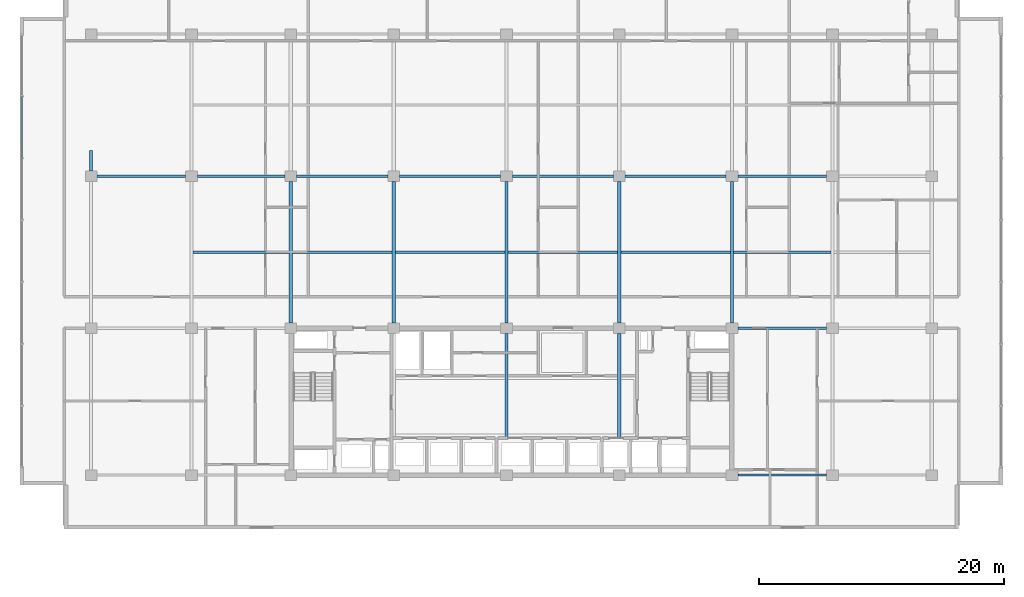
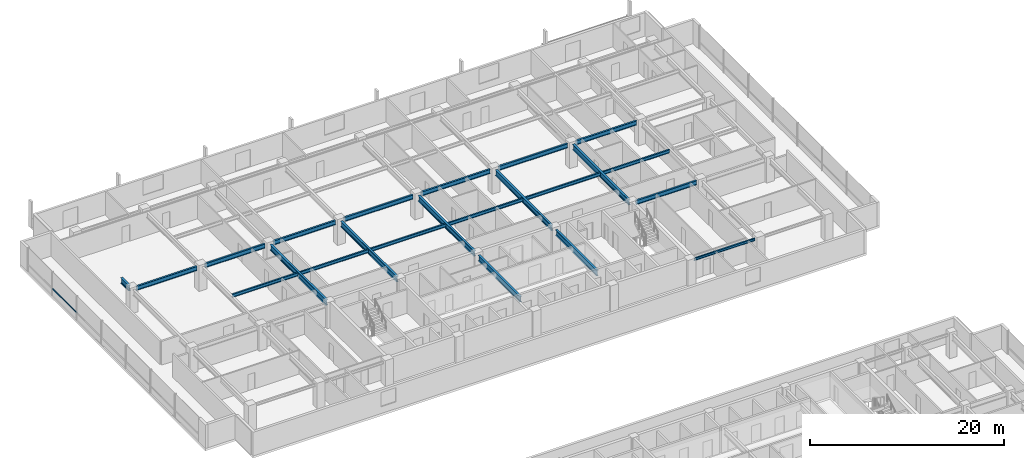
# One storey, part 13 of 38: 23 beams, 1 member, 1 element without a shape of its own.
"""IFC4 building model written with IfcOpenShell, lengths in metres."""

from ifc_helpers import new_model, si_unit, direction, frame, origin, origin_2d, place, context, subcontext, project, spatial, hollow_rectangle, i_section, extrude, material, layer, layer_set, material_profile, profile_set, type_object, element, aggregate, save


model = new_model("IFC4")

# Units and contexts
model_context = context("Model", 3, precision=1e-05, world=origin(), true_north=direction((0.0, 1.0)))
body_context = subcontext(model_context, "Body", "Model", "MODEL_VIEW")
ifc_project = project(units=[si_unit("LENGTHUNIT", "METRE"), si_unit("AREAUNIT", "SQUARE_METRE"), si_unit("VOLUMEUNIT", "CUBIC_METRE"), si_unit("PLANEANGLEUNIT", "RADIAN"), si_unit("MASSUNIT", "GRAM", prefix="KILO")], contexts=[model_context])

# Site, building, storey
site_placement = place(None, origin())
site = spatial("IfcSite", under=ifc_project, at=site_placement, CompositionType="ELEMENT")
building_placement = place(site_placement, origin())
building = spatial("IfcBuilding", under=site, at=building_placement, Name="Korimba Cascade Residences", CompositionType="ELEMENT")
storey_placement = place(building_placement, frame((0.0, 0.0, 93.800048828125)))
storey = spatial("IfcBuildingStorey", under=building, at=storey_placement, Name="L26", CompositionType="ELEMENT", Elevation=93.800048828125)

# Beams
ifc_material_1 = material(Name="Steel S355", Category="steel")
ifc_material_profile_1 = material_profile(ifc_material_1, i_section(OverallWidth=0.165771484375, OverallDepth=0.306640625, WebThickness=0.006591796875, FlangeThickness=0.01171875, FilletRadius=0.0087890625, at=origin_2d()), Name="Steel S355")
ifc_profile_set_1 = profile_set([ifc_material_profile_1], Name="Steel S355")
beam_type_1 = type_object("IfcBeamType", Name="BM-STL-UB305", PredefinedType="SPANDREL", material=ifc_profile_set_1)
beam_1_placement = place(storey_placement, frame((112.574951171875, 55.199951171875, 2.816650390625), z_axis=(1.0, 0.0, 0.0), x_axis=(0.0, 1.0, 0.0)))
element("IfcBeam", 1, at=beam_1_placement, inside=storey, type_object=beam_type_1, Name="L26 T1 E-W Girder Y1 Bay 7", PredefinedType="SPANDREL", context=body_context, shape_type="SweptSolid", body=[
    extrude(i_section(OverallWidth=0.165771484375, OverallDepth=0.306640625, WebThickness=0.006591796875, FlangeThickness=0.01171875, FilletRadius=0.0087890625, at=origin_2d()), origin(), (0.0, 0.0, 1.0), 7.25),
])
ifc_material_profile_2 = material_profile(ifc_material_1, i_section(OverallWidth=0.1787109375, OverallDepth=0.409423828125, WebThickness=0.0087890625, FlangeThickness=0.014404296875, FilletRadius=0.01025390625, at=origin_2d()), Name="Steel S355")
ifc_profile_set_2 = profile_set([ifc_material_profile_2], Name="Steel S355")
beam_type_2 = type_object("IfcBeamType", Name="BM-STL-UB406", PredefinedType="JOIST", material=ifc_profile_set_2)
beam_2_placement = place(storey_placement, frame((68.1279296875, 73.39990234375, 2.76513671875), z_axis=(1.0, 0.0, 0.0), x_axis=(0.0, 1.0, 0.0)))
element("IfcBeam", 2, at=beam_2_placement, inside=storey, type_object=beam_type_2, Name="L26 T1 Floor Joist 1.2", PredefinedType="JOIST", context=body_context, shape_type="SweptSolid", body=[
    extrude(i_section(OverallWidth=0.1787109375, OverallDepth=0.409423828125, WebThickness=0.0087890625, FlangeThickness=0.014404296875, FilletRadius=0.01025390625, at=origin_2d()), origin(), (0.0, 0.0, 1.0), 7.84423828125),
])
beam_3_placement = place(storey_placement, frame((76.227783203125, 73.39990234375, 2.76513671875), z_axis=(1.0, 0.0, 0.0), x_axis=(0.0, 1.0, 0.0)))
element("IfcBeam", 3, at=beam_3_placement, inside=storey, type_object=beam_type_2, Name="L26 T1 Floor Joist 1.3", PredefinedType="JOIST", context=body_context, shape_type="SweptSolid", body=[
    extrude(i_section(OverallWidth=0.1787109375, OverallDepth=0.409423828125, WebThickness=0.0087890625, FlangeThickness=0.014404296875, FilletRadius=0.01025390625, at=origin_2d()), origin(), (0.0, 0.0, 1.0), 8.144287109375),
])
beam_4_placement = place(storey_placement, frame((84.6279296875, 73.39990234375, 2.76513671875), z_axis=(1.0, 0.0, 0.0), x_axis=(0.0, 1.0, 0.0)))
element("IfcBeam", 4, at=beam_4_placement, inside=storey, type_object=beam_type_2, Name="L26 T1 Floor Joist 1.4", PredefinedType="JOIST", context=body_context, shape_type="SweptSolid", body=[
    extrude(i_section(OverallWidth=0.1787109375, OverallDepth=0.409423828125, WebThickness=0.0087890625, FlangeThickness=0.014404296875, FilletRadius=0.01025390625, at=origin_2d()), origin(), (0.0, 0.0, 1.0), 8.944091796875),
])
for number, where, z_axis, x_axis, name in (
    (5, (93.827880859375, 73.39990234375, 2.76513671875), (1.0, 0.0, 0.0), (0.0, 1.0, 0.0), "L26 T1 Floor Joist 1.5"),
    (6, (103.02783203125, 73.39990234375, 2.76513671875), (1.0, 0.0, 0.0), (0.0, 1.0, 0.0), "L26 T1 Floor Joist 1.6"),
):
    element("IfcBeam", number, at=place(storey_placement, frame(where, z_axis=z_axis, x_axis=x_axis)), inside=storey, type_object=beam_type_2, Name=name, PredefinedType="JOIST", context=body_context, shape_type="SweptSolid", body=[
        extrude(i_section(OverallWidth=0.1787109375, OverallDepth=0.409423828125, WebThickness=0.0087890625, FlangeThickness=0.014404296875, FilletRadius=0.01025390625, at=origin_2d()), origin(), (0.0, 0.0, 1.0), 8.9443359375),
    ])
beam_5_placement = place(storey_placement, frame((112.227783203125, 73.39990234375, 2.76513671875), z_axis=(1.0, 0.0, 0.0), x_axis=(0.0, 1.0, 0.0)))
element("IfcBeam", 7, at=beam_5_placement, inside=storey, type_object=beam_type_2, Name="L26 T1 Floor Joist 1.7", PredefinedType="JOIST", context=body_context, shape_type="SweptSolid", body=[
    extrude(i_section(OverallWidth=0.1787109375, OverallDepth=0.409423828125, WebThickness=0.0087890625, FlangeThickness=0.014404296875, FilletRadius=0.01025390625, at=origin_2d()), origin(), (0.0, 0.0, 1.0), 7.9443359375),
])
ifc_material_profile_3 = material_profile(ifc_material_1, i_section(OverallWidth=0.2099609375, OverallDepth=0.53662109375, WebThickness=0.0107421875, FlangeThickness=0.017333984375, FilletRadius=0.0126953125, at=origin_2d()), Name="Steel S355")
ifc_profile_set_3 = profile_set([ifc_material_profile_3], Name="Steel S355")
beam_type_3 = type_object("IfcBeamType", Name="BM-STL-UB533", PredefinedType="BEAM", material=ifc_profile_set_3)
for number, where, z_axis, x_axis, name in (
    (8, (112.574951171875, 67.199951171875, 2.70166015625), (1.0, 0.0, 0.0), (0.0, 1.0, 0.0), "L26 T1 E-W Girder Y2 Bay 7"),
    (9, (60.27490234375, 79.60009765625, 2.70166015625), (1.0, 0.0, 0.0), (0.0, 1.0, 0.0), "L26 T1 E-W Girder Y3 Bay 1"),
):
    element("IfcBeam", number, at=place(storey_placement, frame(where, z_axis=z_axis, x_axis=x_axis)), inside=storey, type_object=beam_type_3, Name=name, PredefinedType="BEAM", context=body_context, shape_type="SweptSolid", body=[
        extrude(i_section(OverallWidth=0.2099609375, OverallDepth=0.53662109375, WebThickness=0.0107421875, FlangeThickness=0.017333984375, FilletRadius=0.0126953125, at=origin_2d()), origin(), (0.0, 0.0, 1.0), 7.25),
    ])
beam_6_placement = place(storey_placement, frame((68.47509765625, 79.60009765625, 2.70166015625), z_axis=(1.0, 0.0, 0.0), x_axis=(0.0, 1.0, 0.0)))
element("IfcBeam", 10, at=beam_6_placement, inside=storey, type_object=beam_type_3, Name="L26 T1 E-W Girder Y3 Bay 2", PredefinedType="BEAM", context=body_context, shape_type="SweptSolid", body=[
    extrude(i_section(OverallWidth=0.2099609375, OverallDepth=0.53662109375, WebThickness=0.0107421875, FlangeThickness=0.017333984375, FilletRadius=0.0126953125, at=origin_2d()), origin(), (0.0, 0.0, 1.0), 7.14990234375),
])
beam_7_placement = place(storey_placement, frame((76.574951171875, 79.60009765625, 2.70166015625), z_axis=(1.0, 0.0, 0.0), x_axis=(0.0, 1.0, 0.0)))
element("IfcBeam", 11, at=beam_7_placement, inside=storey, type_object=beam_type_3, Name="L26 T1 E-W Girder Y3 Bay 3", PredefinedType="BEAM", context=body_context, shape_type="SweptSolid", body=[
    extrude(i_section(OverallWidth=0.2099609375, OverallDepth=0.53662109375, WebThickness=0.0107421875, FlangeThickness=0.017333984375, FilletRadius=0.0126953125, at=origin_2d()), origin(), (0.0, 0.0, 1.0), 7.449951171875),
])
for number, where, z_axis, x_axis, name in (
    (12, (84.97509765625, 79.60009765625, 2.70166015625), (1.0, 0.0, 0.0), (0.0, 1.0, 0.0), "L26 T1 E-W Girder Y3 Bay 4"),
    (13, (94.175048828125, 79.60009765625, 2.70166015625), (1.0, 0.0, 0.0), (0.0, 1.0, 0.0), "L26 T1 E-W Girder Y3 Bay 5"),
    (14, (103.375, 79.60009765625, 2.70166015625), (1.0, 0.0, 0.0), (0.0, 1.0, 0.0), "L26 T1 E-W Girder Y3 Bay 6"),
):
    element("IfcBeam", number, at=place(storey_placement, frame(where, z_axis=z_axis, x_axis=x_axis)), inside=storey, type_object=beam_type_3, Name=name, PredefinedType="BEAM", context=body_context, shape_type="SweptSolid", body=[
        extrude(i_section(OverallWidth=0.2099609375, OverallDepth=0.53662109375, WebThickness=0.0107421875, FlangeThickness=0.017333984375, FilletRadius=0.0126953125, at=origin_2d()), origin(), (0.0, 0.0, 1.0), 8.25),
    ])
beam_8_placement = place(storey_placement, frame((112.574951171875, 79.60009765625, 2.70166015625), z_axis=(1.0, 0.0, 0.0), x_axis=(0.0, 1.0, 0.0)))
element("IfcBeam", 15, at=beam_8_placement, inside=storey, type_object=beam_type_3, Name="L26 T1 E-W Girder Y3 Bay 7", PredefinedType="BEAM", context=body_context, shape_type="SweptSolid", body=[
    extrude(i_section(OverallWidth=0.2099609375, OverallDepth=0.53662109375, WebThickness=0.0107421875, FlangeThickness=0.017333984375, FilletRadius=0.0126953125, at=origin_2d()), origin(), (0.0, 0.0, 1.0), 7.25),
])
ifc_material_profile_4 = material_profile(ifc_material_1, i_section(OverallWidth=0.255859375, OverallDepth=0.69287109375, WebThickness=0.014404296875, FlangeThickness=0.023681640625, FilletRadius=0.01513671875, at=origin_2d()), Name="Steel S355")
ifc_profile_set_4 = profile_set([ifc_material_profile_4], Name="Steel S355")
beam_type_4 = type_object("IfcBeamType", Name="BM-STL-UB686", PredefinedType="BEAM", material=ifc_profile_set_4)
beam_9_placement = place(storey_placement, frame((59.800048828125, 80.02490234375, 2.62353515625), z_axis=(0.0, 1.0, 0.0), x_axis=(-1.0, 0.0, 0.0)))
element("IfcBeam", 16, at=beam_9_placement, inside=storey, type_object=beam_type_4, Name="L26 T1 N-S Girder X1 Seg 3", PredefinedType="BEAM", context=body_context, shape_type="SweptSolid", body=[
    extrude(i_section(OverallWidth=0.255859375, OverallDepth=0.69287109375, WebThickness=0.014404296875, FlangeThickness=0.023681640625, FilletRadius=0.01513671875, at=origin_2d()), origin(), (0.0, 0.0, 1.0), 1.675048828125),
])
for number, where, z_axis, x_axis, name in (
    (17, (76.10009765625, 67.625, 2.62353515625), (0.0, 1.0, 0.0), (-1.0, 0.0, 0.0), "L26 T1 N-S Girder X3 Seg 2"),
    (18, (84.5, 67.625, 2.62353515625), (0.0, 1.0, 0.0), (-1.0, 0.0, 0.0), "L26 T1 N-S Girder X4 Seg 2"),
):
    element("IfcBeam", number, at=place(storey_placement, frame(where, z_axis=z_axis, x_axis=x_axis)), inside=storey, type_object=beam_type_4, Name=name, PredefinedType="BEAM", context=body_context, shape_type="SweptSolid", body=[
        extrude(i_section(OverallWidth=0.255859375, OverallDepth=0.69287109375, WebThickness=0.014404296875, FlangeThickness=0.023681640625, FilletRadius=0.01513671875, at=origin_2d()), origin(), (0.0, 0.0, 1.0), 11.550048828125),
    ])
beam_10_placement = place(storey_placement, frame((93.699951171875, 58.159912109375, 2.62353515625), z_axis=(0.0, 1.0, 0.0), x_axis=(-1.0, 0.0, 0.0)))
element("IfcBeam", 19, at=beam_10_placement, inside=storey, type_object=beam_type_4, Name="L26 T1 N-S Girder X5 Seg 1", PredefinedType="BEAM", context=body_context, shape_type="SweptSolid", body=[
    extrude(i_section(OverallWidth=0.255859375, OverallDepth=0.69287109375, WebThickness=0.014404296875, FlangeThickness=0.023681640625, FilletRadius=0.01513671875, at=origin_2d()), origin(), (0.0, 0.0, 1.0), 8.614990234375),
])
beam_11_placement = place(storey_placement, frame((93.699951171875, 67.625, 2.62353515625), z_axis=(0.0, 1.0, 0.0), x_axis=(-1.0, 0.0, 0.0)))
element("IfcBeam", 20, at=beam_11_placement, inside=storey, type_object=beam_type_4, Name="L26 T1 N-S Girder X5 Seg 2", PredefinedType="BEAM", context=body_context, shape_type="SweptSolid", body=[
    extrude(i_section(OverallWidth=0.255859375, OverallDepth=0.69287109375, WebThickness=0.014404296875, FlangeThickness=0.023681640625, FilletRadius=0.01513671875, at=origin_2d()), origin(), (0.0, 0.0, 1.0), 11.550048828125),
])
beam_12_placement = place(storey_placement, frame((102.89990234375, 58.260009765625, 2.62353515625), z_axis=(0.0, 1.0, 0.0), x_axis=(-1.0, 0.0, 0.0)))
element("IfcBeam", 21, at=beam_12_placement, inside=storey, type_object=beam_type_4, Name="L26 T1 N-S Girder X6 Seg 1", PredefinedType="BEAM", context=body_context, shape_type="SweptSolid", body=[
    extrude(i_section(OverallWidth=0.255859375, OverallDepth=0.69287109375, WebThickness=0.014404296875, FlangeThickness=0.023681640625, FilletRadius=0.01513671875, at=origin_2d()), origin(), (0.0, 0.0, 1.0), 8.514892578125),
])
for number, where, z_axis, x_axis, name in (
    (22, (102.89990234375, 67.625, 2.62353515625), (0.0, 1.0, 0.0), (-1.0, 0.0, 0.0), "L26 T1 N-S Girder X6 Seg 2"),
    (23, (112.10009765625, 67.625, 2.62353515625), (0.0, 1.0, 0.0), (-1.0, 0.0, 0.0), "L26 T1 N-S Girder X7 Seg 2"),
):
    element("IfcBeam", number, at=place(storey_placement, frame(where, z_axis=z_axis, x_axis=x_axis)), inside=storey, type_object=beam_type_4, Name=name, PredefinedType="BEAM", context=body_context, shape_type="SweptSolid", body=[
        extrude(i_section(OverallWidth=0.255859375, OverallDepth=0.69287109375, WebThickness=0.014404296875, FlangeThickness=0.023681640625, FilletRadius=0.01513671875, at=origin_2d()), origin(), (0.0, 0.0, 1.0), 11.550048828125),
    ])

# Curtain wall, member
ifc_material_2 = material(Name="Anodised Aluminium Curtain Wall Framing", Category="aluminium")
ifc_layer = layer(ifc_material_2, 0.179931640625)
ifc_layer_set = layer_set([ifc_layer], Name="Anodised Aluminium Curtain Wall Framing")
curtain_wall_type = type_object("IfcCurtainWallType", Name="CW-SKY-SYS2", PredefinedType="NOTDEFINED", material=ifc_layer_set)
curtain_wall_placement = place(storey_placement, origin())
curtain_wall = element("IfcCurtainWall", 24, at=curtain_wall_placement, inside=storey, type_object=curtain_wall_type, Name="L26 Curtain Wall CW-L26-T1-E9", PredefinedType="NOTDEFINED")
ifc_material_3 = material(Name="Anodised Aluminium Transom", Category="aluminium")
ifc_material_profile_5 = material_profile(ifc_material_3, hollow_rectangle(XDim=0.070068359375, YDim=0.179931640625, WallThickness=0.0048828125, InnerFilletRadius=0.0048828125, OuterFilletRadius=0.010009765625, at=origin_2d()), Name="Anodised Aluminium Transom")
ifc_profile_set_5 = profile_set([ifc_material_profile_5], Name="Anodised Aluminium Transom")
member_type = type_object("IfcMemberType", Name="CWM-TRN-150", PredefinedType="USERDEFINED", material=ifc_profile_set_5)
member_placement = place(storey_placement, frame((54.14990234375, 86.142822265625, 0.83154296875), z_axis=(0.0, -1.0, 0.0), x_axis=(1.0, 0.0, 0.0)))
member = element("IfcMember", 25, at=member_placement, type_object=member_type, Name="CW-L26-T1-E9 Transom 2", ObjectType="TRANSOM", PredefinedType="USERDEFINED", context=body_context, shape_type="SweptSolid", body=[
    extrude(hollow_rectangle(XDim=0.070068359375, YDim=0.179931640625, WallThickness=0.0048828125, InnerFilletRadius=0.0048828125, OuterFilletRadius=0.010009765625, at=origin_2d()), origin(), (0.0, 0.0, 1.0), 5.05712890625),
])
aggregate(curtain_wall, [member])

save(model, "model.ifc")
